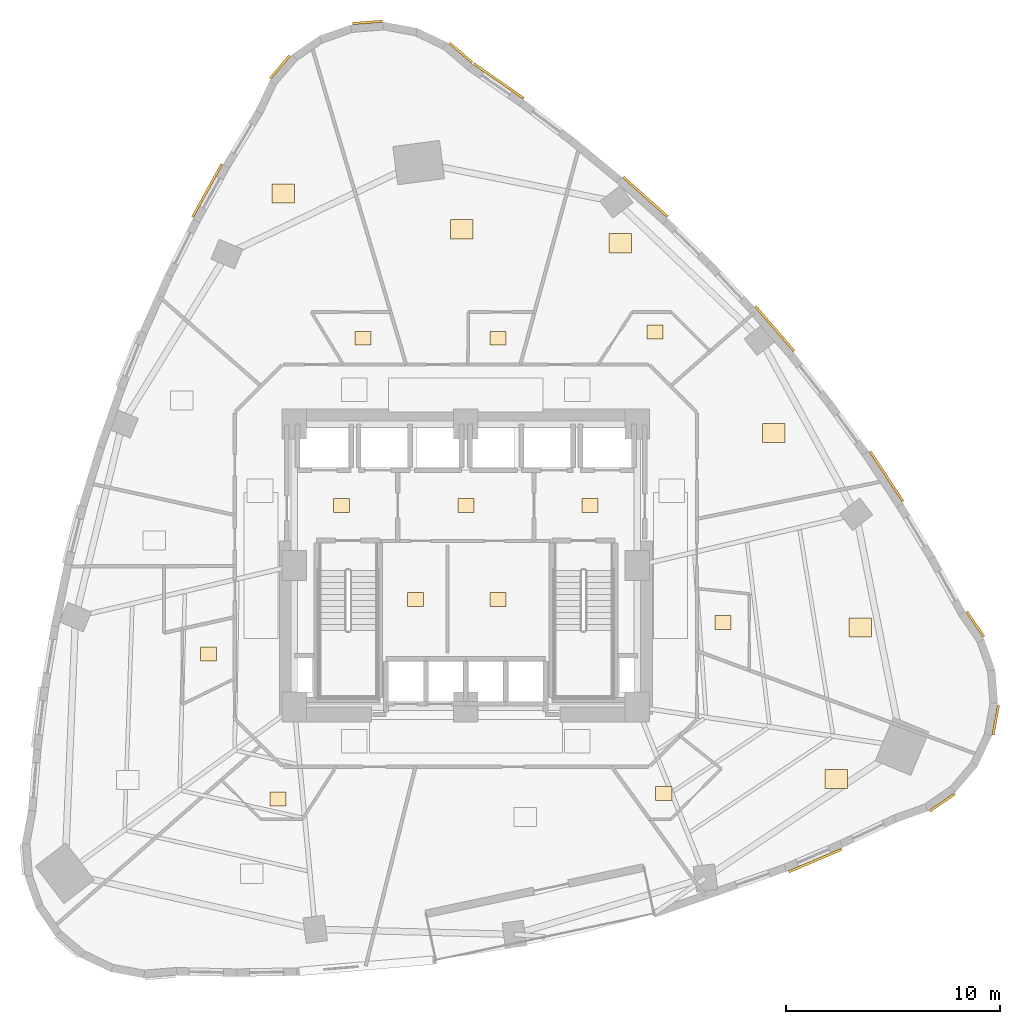
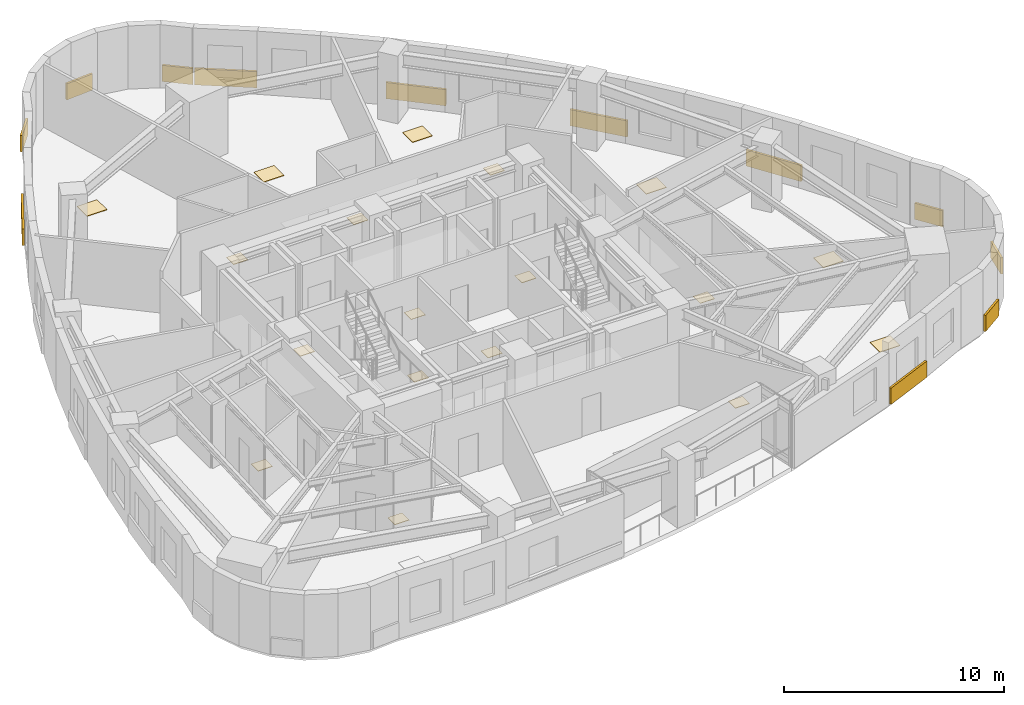
# One storey, part 12 of 12: 30 coverings.
"""IFC4 building model written with IfcOpenShell, lengths in metres."""

import ifcopenshell
import ifcopenshell.guid

model = None  # the IFC model being written
_history = None  # IfcOwnerHistory: only IFC2X3 demands one
_inside = {}  # id of a spatial element -> (the spatial element, [elements in it])
_under = {}  # id of a project, library or spatial element -> (it, [spatial elements below it])
_declared = {}  # id of a project -> (the project, [libraries it declares])
_typed = {}  # id of a type object -> (the type object, [elements of that type])
_made_of = {}  # id of a material, layer set ... -> (it, [elements and type objects made of it])


def new_model(schema):
    """Start an empty IFC model of exactly this schema.

    Asked for "IFC4X3", IfcOpenShell would pick the latest addendum, in which some entities
    have other attributes; the version numbers below select the first issue.
    IFC2X3 requires an IfcOwnerHistory on every rooted entity: one is made here for all.
    """
    global model, _history
    if schema == "IFC4X3":
        model = ifcopenshell.file(schema_version=(4, 3, 0, 0))
    else:
        model = ifcopenshell.file(schema=schema)
    _inside.clear()
    _under.clear()
    _declared.clear()
    _typed.clear()
    _made_of.clear()
    _history = None
    if model.schema == "IFC2X3":
        org = make("IfcOrganization", Name="unknown")
        user = make(
            "IfcPersonAndOrganization",
            ThePerson=make("IfcPerson", FamilyName="unknown"),
            TheOrganization=org,
        )
        app = make(
            "IfcApplication",
            ApplicationDeveloper=org,
            Version="unknown",
            ApplicationFullName="unknown",
            ApplicationIdentifier="unknown",
        )
        _history = make(
            "IfcOwnerHistory",
            OwningUser=user,
            OwningApplication=app,
            ChangeAction="ADDED",
            CreationDate=0,
        )
    return model


def make(cls, **values):
    """One entity of the class cls with the attributes given. An attribute that is None is left unset."""
    return model.create_entity(
        cls, **{name: value for name, value in values.items() if value is not None}
    )


def rooted(cls, **values):
    """An entity with a GlobalId (a new one), such as an element, a storey or a relation."""
    return make(cls, GlobalId=ifcopenshell.guid.new(), OwnerHistory=_history, **values)


def si_unit(unit_type, name, prefix=None):
    """IfcSIUnit, for example si_unit("LENGTHUNIT", "METRE", prefix="MILLI")."""
    return make("IfcSIUnit", UnitType=unit_type, Prefix=prefix, Name=name)


def assignment(units):
    """IfcUnitAssignment: the units of a project."""
    return None if units is None else make("IfcUnitAssignment", Units=units)


def point(xyz):
    """IfcCartesianPoint."""
    return None if xyz is None else make("IfcCartesianPoint", Coordinates=xyz)


def direction(xyz):
    """IfcDirection."""
    return None if xyz is None else make("IfcDirection", DirectionRatios=xyz)


def frame(location, z_axis=None, x_axis=None):
    """IfcAxis2Placement3D, a coordinate frame: its origin and axes. An axis left out is left unset."""
    return make(
        "IfcAxis2Placement3D",
        Location=point(location),
        Axis=direction(z_axis),
        RefDirection=direction(x_axis),
    )


def frame_2d(location, x_axis=None):
    """IfcAxis2Placement2D, a coordinate frame in the plane: its origin and x axis."""
    return make(
        "IfcAxis2Placement2D", Location=point(location), RefDirection=direction(x_axis)
    )


def origin():
    """The frame at (0, 0, 0) with its axes left unset."""
    return frame((0.0, 0.0, 0.0))


def origin_2d():
    """The frame at (0, 0) in the plane with its x axis left unset."""
    return frame_2d((0.0, 0.0))


def place(relative_to, where):
    """IfcLocalPlacement: puts the frame where relative to a parent placement (None: the world)."""
    return make(
        "IfcLocalPlacement", PlacementRelTo=relative_to, RelativePlacement=where
    )


def context(
    kind, dimensions, precision=None, world=None, true_north=None, identifier=None
):
    """IfcGeometricRepresentationContext, for example the 3D "Model" context."""
    return make(
        "IfcGeometricRepresentationContext",
        ContextIdentifier=identifier,
        ContextType=kind,
        CoordinateSpaceDimension=dimensions,
        Precision=precision,
        WorldCoordinateSystem=world,
        TrueNorth=true_north,
    )


def subcontext(parent, identifier, kind, view, scale=None):
    """IfcGeometricRepresentationSubContext, for example "Body" below "Model"."""
    return make(
        "IfcGeometricRepresentationSubContext",
        ContextIdentifier=identifier,
        ContextType=kind,
        ParentContext=parent,
        TargetScale=scale,
        TargetView=view,
    )


def project(units=None, contexts=None):
    """IfcProject with its units and contexts."""
    return rooted(
        "IfcProject",
        Name="project",
        RepresentationContexts=contexts,
        UnitsInContext=assignment(units),
    )


def spatial(cls, under=None, at=None, **own):
    """A site, building, storey or space (cls), placed at a placement, below another one or the project."""
    s = rooted(cls, ObjectPlacement=at, **own)
    if under is not None:
        _under.setdefault(under.id(), (under, []))[1].append(s)
    return s


def profile(cls, at=None, kind="AREA", **sizes):
    """A parametric profile (cls). Its sizes go by their IFC names, for example OverallWidth=200.0."""
    return make(cls, ProfileType=kind, Position=at, **sizes)


def rectangle(**sizes):
    """IfcRectangleProfileDef."""
    return profile("IfcRectangleProfileDef", **sizes)


def extrude(swept, where, along, depth):
    """IfcExtrudedAreaSolid: the profile swept, set in the frame where, extruded along a direction by depth."""
    return make(
        "IfcExtrudedAreaSolid",
        SweptArea=swept,
        Position=where,
        ExtrudedDirection=direction(along),
        Depth=depth,
    )


def shape(context_of_items, identifier, shape_type, items):
    """IfcShapeRepresentation: the items that make up one representation, for example the "Body"."""
    return make(
        "IfcShapeRepresentation",
        ContextOfItems=context_of_items,
        RepresentationIdentifier=identifier,
        RepresentationType=shape_type,
        Items=items,
    )


def material(Name=None, Category=None):
    """IfcMaterial."""
    return make("IfcMaterial", Name=Name, Category=Category)


def layer(
    of_material, thickness, ventilated=None, Name=None, Category=None, Priority=None
):
    """IfcMaterialLayer: one layer of a wall or slab, of a material (None: an air gap)."""
    return make(
        "IfcMaterialLayer",
        Material=of_material,
        LayerThickness=thickness,
        IsVentilated=ventilated,
        Name=Name,
        Category=Category,
        Priority=Priority,
    )


def layer_set(layers, Name=None):
    """IfcMaterialLayerSet."""
    return make("IfcMaterialLayerSet", MaterialLayers=layers, LayerSetName=Name)


def made_of(thing, what):
    """Note that an element or type object is made of a material, layer set ...; save() writes the relation."""
    if what is not None:
        _made_of.setdefault(what.id(), (what, []))[1].append(thing)
    return thing


def type_object(cls, material=None, **own):
    """A type object (cls), such as IfcWallType, which elements share."""
    return made_of(rooted(cls, **own), material)


def element(
    cls,
    number,
    at=None,
    inside=None,
    cuts=None,
    type_object=None,
    material=None,
    context=None,
    identifier="Body",
    shape_type=None,
    held_by="IfcProductDefinitionShape",
    body=None,
    shapes=None,
    **own,
):
    """One element of the class cls, such as IfcWall. Its Tag is "e" and its number.

    at: its placement. inside: the storey or other place that contains it. cuts: it is an
    opening in that element (IfcRelVoidsElement). A single representation is given by context,
    identifier, shape_type and body (its items); several are given by shapes. held_by: the class
    of the entity that holds the representations. save() writes the other relations.
    """
    e = rooted(cls, Tag="e%d" % number, ObjectPlacement=at, **own)
    if body is not None:
        shapes = [shape(context, identifier, shape_type, body)]
    if shapes is not None:
        e.Representation = make(held_by, Representations=shapes)
    if inside is not None:
        _inside.setdefault(inside.id(), (inside, []))[1].append(e)
    if cuts is not None:
        rooted(
            "IfcRelVoidsElement", RelatingBuildingElement=cuts, RelatedOpeningElement=e
        )
    if type_object is not None:
        _typed.setdefault(type_object.id(), (type_object, []))[1].append(e)
    return made_of(e, material)


def aggregate(whole, parts):
    """IfcRelAggregates: a whole, such as a stair, and the parts it consists of."""
    return rooted("IfcRelAggregates", RelatingObject=whole, RelatedObjects=parts)


def save(model, path):
    """Write the relations noted so far, then the file.

    IfcRelAggregates (storeys below a building ...), IfcRelContainedInSpatialStructure (elements
    in a storey), IfcRelDefinesByType, IfcRelAssociatesMaterial and IfcRelDeclares: one each for
    every whole, place, type object, material and project.
    """
    for whole, parts in _under.values():
        aggregate(whole, parts)
    for where, things in _inside.values():
        rooted(
            "IfcRelContainedInSpatialStructure",
            RelatedElements=things,
            RelatingStructure=where,
        )
    for kind, things in _typed.values():
        rooted("IfcRelDefinesByType", RelatedObjects=things, RelatingType=kind)
    for what, things in _made_of.values():
        rooted("IfcRelAssociatesMaterial", RelatedObjects=things, RelatingMaterial=what)
    for by, libraries in _declared.values():
        rooted("IfcRelDeclares", RelatingContext=by, RelatedDefinitions=libraries)
    model.write(path)


model = new_model("IFC4")

# Units and contexts
model_context = context("Model", 3, precision=1e-05, world=origin(), true_north=direction((0.0, 1.0)))
body_context = subcontext(model_context, "Body", "Model", "MODEL_VIEW")
ifc_project = project(units=[si_unit("LENGTHUNIT", "METRE"), si_unit("AREAUNIT", "SQUARE_METRE"), si_unit("VOLUMEUNIT", "CUBIC_METRE"), si_unit("PLANEANGLEUNIT", "RADIAN"), si_unit("MASSUNIT", "GRAM", prefix="KILO")], contexts=[model_context])

# Site, building, storey
site_placement = place(None, origin())
site = spatial("IfcSite", under=ifc_project, at=site_placement, CompositionType="ELEMENT")
building_placement = place(site_placement, origin())
building = spatial("IfcBuilding", under=site, at=building_placement, Name="Ndelora Gate Hotel", CompositionType="ELEMENT")
storey_placement = place(building_placement, frame((0.0, 0.0, 75.5)))
storey = spatial("IfcBuildingStorey", under=building, at=storey_placement, Name="L18", CompositionType="ELEMENT", Elevation=75.5)

# Coverings
ifc_material_1 = material(Name="Terracotta Fired Clay Brick Slip Cladding", Category="masonry")
ifc_layer_1 = layer(ifc_material_1, 0.110107421875)
ifc_layer_set_1 = layer_set([ifc_layer_1], Name="Terracotta Fired Clay Brick Slip Cladding")
covering_type_1 = type_object("IfcCoveringType", Name="COV-CLAD-BRK", PredefinedType="CLADDING", material=ifc_layer_set_1)
for number, where, z_axis, x_axis, name in (
    (1, (-0.232177734375, 23.92529296875, 0.10009765625), (0.0, 0.0, 1.0), (-0.7604059656, 0.64944804833, 0.0), "L18 Rounded-Corner Brick Cladding Band 1"),
    (2, (-4.587646484375, 25.340576171875, 0.10009765625), (0.0, 0.0, 1.0), (0.996917333733, 0.078459095728, 0.0), "L18 Rounded-Corner Brick Cladding Band 4"),
    (3, (-8.66845703125, 23.26123046875, 0.10009765625), (0.0, 0.0, 1.0), (0.64944804833, 0.7604059656, 0.0), "L18 Rounded-Corner Brick Cladding Band 7"),
):
    element("IfcCovering", number, at=place(storey_placement, frame(where, z_axis=z_axis, x_axis=x_axis)), inside=storey, type_object=covering_type_1, Name=name, PredefinedType="CLADDING", context=body_context, shape_type="SweptSolid", body=[
        extrude(rectangle(XDim=1.4140625, YDim=0.110107421875, at=origin_2d()), origin(), (0.0, 0.0, 1.0), 0.89990234375),
    ])
covering_1_placement = place(storey_placement, frame((-12.06494140625, 17.494140625, 0.10009765625), z_axis=(0.0, 0.0, 1.0), x_axis=(0.48312957851, 0.875548862354, 0.0)))
element("IfcCovering", 4, at=covering_1_placement, inside=storey, type_object=covering_type_1, Name="L18 Rounded-Corner Brick Cladding Band 10", PredefinedType="CLADDING", context=body_context, shape_type="SweptSolid", body=[
    extrude(rectangle(XDim=2.81103515625, YDim=0.110107421875, at=origin_2d()), origin(), (0.0, 0.0, 1.0), 0.89990234375),
])
covering_2_placement = place(storey_placement, frame((16.298828125, -13.76025390625, 0.10009765625), z_axis=(0.0, 0.0, 1.0), x_axis=(0.920300140941, 0.391213050121, 0.0)))
element("IfcCovering", 5, at=covering_2_placement, inside=storey, type_object=covering_type_1, Name="L18 Rounded-Corner Brick Cladding Band 37", PredefinedType="CLADDING", context=body_context, shape_type="SweptSolid", body=[
    extrude(rectangle(XDim=2.696044921875, YDim=0.110107421875, at=origin_2d()), origin(), (0.0, 0.0, 1.0), 0.89990234375),
])
for number, where, z_axis, x_axis, name in (
    (6, (22.227783203125, -11.052490234375, 0.10009765625), (0.0, 0.0, 1.0), (0.824126188622, 0.566406236925, 0.0), "L18 Rounded-Corner Brick Cladding Band 40"),
    (7, (24.72216796875, -7.21142578125, 0.10009765625), (0.0, 0.0, 1.0), (0.182235525492, 0.983254907564, 0.0), "L18 Rounded-Corner Brick Cladding Band 43"),
    (8, (23.769775390625, -2.731689453125, 0.10009765625), (0.0, 0.0, 1.0), (-0.566406236925, 0.824126188622, 0.0), "L18 Rounded-Corner Brick Cladding Band 46"),
):
    element("IfcCovering", number, at=place(storey_placement, frame(where, z_axis=z_axis, x_axis=x_axis)), inside=storey, type_object=covering_type_1, Name=name, PredefinedType="CLADDING", context=body_context, shape_type="SweptSolid", body=[
        extrude(rectangle(XDim=1.4140625, YDim=0.110107421875, at=origin_2d()), origin(), (0.0, 0.0, 1.0), 0.89990234375),
    ])
covering_3_placement = place(storey_placement, frame((19.6279296875, 4.161376953125, 0.10009765625), z_axis=(0.0, 0.0, 1.0), x_axis=(-0.551791436375, 0.833982140542, 0.0)))
element("IfcCovering", 9, at=covering_3_placement, inside=storey, type_object=covering_type_1, Name="L18 Rounded-Corner Brick Cladding Band 49", PredefinedType="CLADDING", context=body_context, shape_type="SweptSolid", body=[
    extrude(rectangle(XDim=2.791015625, YDim=0.110107421875, at=origin_2d()), origin(), (0.0, 0.0, 1.0), 0.89990234375),
])
covering_4_placement = place(storey_placement, frame((14.415771484375, 11.0498046875, 0.10009765625), z_axis=(0.0, 0.0, 1.0), x_axis=(-0.653156323064, 0.757223096347, 0.0)))
element("IfcCovering", 10, at=covering_4_placement, inside=storey, type_object=covering_type_1, Name="L18 Rounded-Corner Brick Cladding Band 52", PredefinedType="CLADDING", context=body_context, shape_type="SweptSolid", body=[
    extrude(rectangle(XDim=2.760009765625, YDim=0.110107421875, at=origin_2d()), origin(), (0.0, 0.0, 1.0), 0.89990234375),
])
covering_5_placement = place(storey_placement, frame((8.38330078125, 17.19970703125, 0.10009765625), z_axis=(0.0, 0.0, 1.0), x_axis=(-0.744311546231, 0.667832555471, 0.0)))
element("IfcCovering", 11, at=covering_5_placement, inside=storey, type_object=covering_type_1, Name="L18 Rounded-Corner Brick Cladding Band 55", PredefinedType="CLADDING", context=body_context, shape_type="SweptSolid", body=[
    extrude(rectangle(XDim=2.77490234375, YDim=0.110107421875, at=origin_2d()), origin(), (0.0, 0.0, 1.0), 0.89990234375),
])
covering_6_placement = place(storey_placement, frame((1.531494140625, 22.6103515625, 0.10009765625), z_axis=(0.0, 0.0, 1.0), x_axis=(-0.821447921484, 0.570283536751, 0.0)))
element("IfcCovering", 12, at=covering_6_placement, inside=storey, type_object=covering_type_1, Name="L18 Rounded-Corner Brick Cladding Band 58", PredefinedType="CLADDING", context=body_context, shape_type="SweptSolid", body=[
    extrude(rectangle(XDim=2.8369140625, YDim=0.110107421875, at=origin_2d()), origin(), (0.0, 0.0, 1.0), 0.89990234375),
])
ifc_material_2 = material(Name="Engineered Highland Oak Parquet", Category="wood")
ifc_layer_2 = layer(ifc_material_2, 0.030029296875)
ifc_layer_set_2 = layer_set([ifc_layer_2], Name="Engineered Highland Oak Parquet")
covering_type_2 = type_object("IfcCoveringType", Name="COV-FLR-PARQ", PredefinedType="FLOORING", material=ifc_layer_set_2)
for number, where, z_axis, x_axis, name in (
    (13, (17.285400390625, -9.955078125, 0.0), (0.0, 0.0, 1.0), (1.0, 0.0, 0.0), "L18 Deluxe King Junior Suite 2103 Oak Parquet Flooring"),
    (14, (18.406982421875, -2.884521484375, 0.0), (0.0, 0.0, 1.0), (1.0, 0.0, 0.0), "L18 Twin Junior Suite 2104 Oak Parquet Flooring"),
    (15, (14.361328125, 6.1826171875, 0.0), (0.0, 0.0, 1.0), (1.0, 0.0, 0.0), "L18 Curated Art Salon Oak Parquet Flooring"),
    (16, (7.2060546875, 15.0361328125, 0.0), (0.0, 0.0, 1.0), (1.0, 0.0, 0.0), "L18 Family Twin Suite 2105 Oak Parquet Flooring"),
    (17, (-0.200927734375, 15.689453125, 0.0), (0.0, 0.0, 1.0), (1.0, 0.0, 0.0), "L18 Executive King Junior Suite 2106 Oak Parquet Flooring"),
    (18, (-8.509765625, 17.362060546875, 0.0), (0.0, 0.0, 1.0), (1.0, 0.0, 0.0), "L18 Superior Double Junior Suite 2107 Oak Parquet Flooring"),
):
    element("IfcCovering", number, at=place(storey_placement, frame(where, z_axis=z_axis, x_axis=x_axis)), inside=storey, type_object=covering_type_2, Name=name, PredefinedType="FLOORING", context=body_context, shape_type="SweptSolid", body=[
        extrude(rectangle(XDim=1.050048828125, YDim=0.89990234375, at=origin_2d()), origin(), (0.0, 0.0, 1.0), 0.030029296875),
    ])
ifc_material_3 = material(Name="Non-Slip Porcelain Wet-Room Tile", Category="ceramic")
ifc_layer_3 = layer(ifc_material_3, 0.02490234375)
ifc_layer_set_3 = layer_set([ifc_layer_3], Name="Non-Slip Porcelain Wet-Room Tile")
covering_type_3 = type_object("IfcCoveringType", Name="COV-FLR-TILE", PredefinedType="FLOORING", material=ifc_layer_set_3)
for number, where, z_axis, x_axis, name in (
    (19, (-5.800048828125, 2.800048828125, 0.0), (0.0, 0.0, 1.0), (1.0, 0.0, 0.0), "L18 Firefighting Lift Lobby West Porcelain Tile Flooring"),
    (20, (5.800048828125, 2.800048828125, 0.0), (0.0, 0.0, 1.0), (1.0, 0.0, 0.0), "L18 Firefighting Lift Lobby East Porcelain Tile Flooring"),
    (21, (0.0, 2.800048828125, 0.0), (0.0, 0.0, 1.0), (1.0, 0.0, 0.0), "L18 Central Passenger Lift Lobby Porcelain Tile Flooring"),
    (22, (-2.35009765625, -1.574951171875, 0.0), (0.0, 0.0, 1.0), (1.0, 0.0, 0.0), "L18 Core Electrical Switchroom Porcelain Tile Flooring"),
    (23, (1.5, -1.574951171875, 0.0), (0.0, 0.0, 1.0), (1.0, 0.0, 0.0), "L18 Central Linen Equipment Store Porcelain Tile Flooring"),
    (24, (-12.0048828125, -4.114501953125, 0.0), (0.0, 0.0, 1.0), (1.0, 0.0, 0.0), "L18 En-suite Bathroom 2101 Porcelain Tile Flooring"),
    (25, (-8.75390625, -10.89404296875, 0.0), (0.0, 0.0, 1.0), (1.0, 0.0, 0.0), "L18 En-suite Bathroom 2102 Porcelain Tile Flooring"),
    (26, (9.232421875, -10.63671875, 0.0), (0.0, 0.0, 1.0), (1.0, 0.0, 0.0), "L18 En-suite Bathroom 2103 Porcelain Tile Flooring"),
    (27, (12.0048828125, -2.65234375, 0.0), (0.0, 0.0, 1.0), (1.0, 0.0, 0.0), "L18 En-suite Bathroom 2104 Porcelain Tile Flooring"),
    (28, (8.824462890625, 10.89404296875, 0.0), (0.0, 0.0, 1.0), (1.0, 0.0, 0.0), "L18 En-suite Bathroom 2105 Porcelain Tile Flooring"),
    (29, (1.491455078125, 10.60498046875, 0.0), (0.0, 0.0, 1.0), (1.0, 0.0, 0.0), "L18 En-suite Bathroom 2106 Porcelain Tile Flooring"),
    (30, (-4.80126953125, 10.60498046875, 0.0), (0.0, 0.0, 1.0), (1.0, 0.0, 0.0), "L18 En-suite Bathroom 2107 Porcelain Tile Flooring"),
):
    element("IfcCovering", number, at=place(storey_placement, frame(where, z_axis=z_axis, x_axis=x_axis)), inside=storey, type_object=covering_type_3, Name=name, PredefinedType="FLOORING", context=body_context, shape_type="SweptSolid", body=[
        extrude(rectangle(XDim=0.75, YDim=0.64990234375, at=origin_2d()), origin(), (0.0, 0.0, 1.0), 0.02490234375),
    ])

save(model, "model.ifc")
